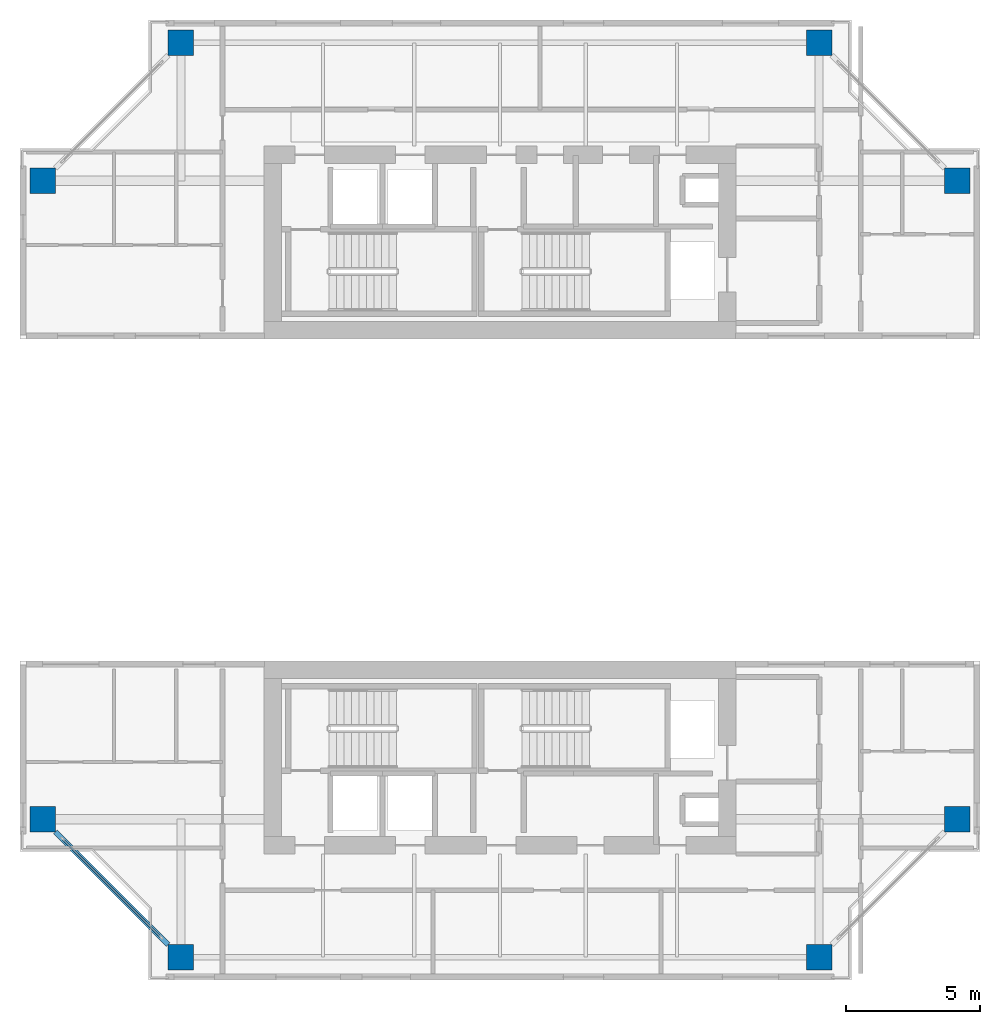
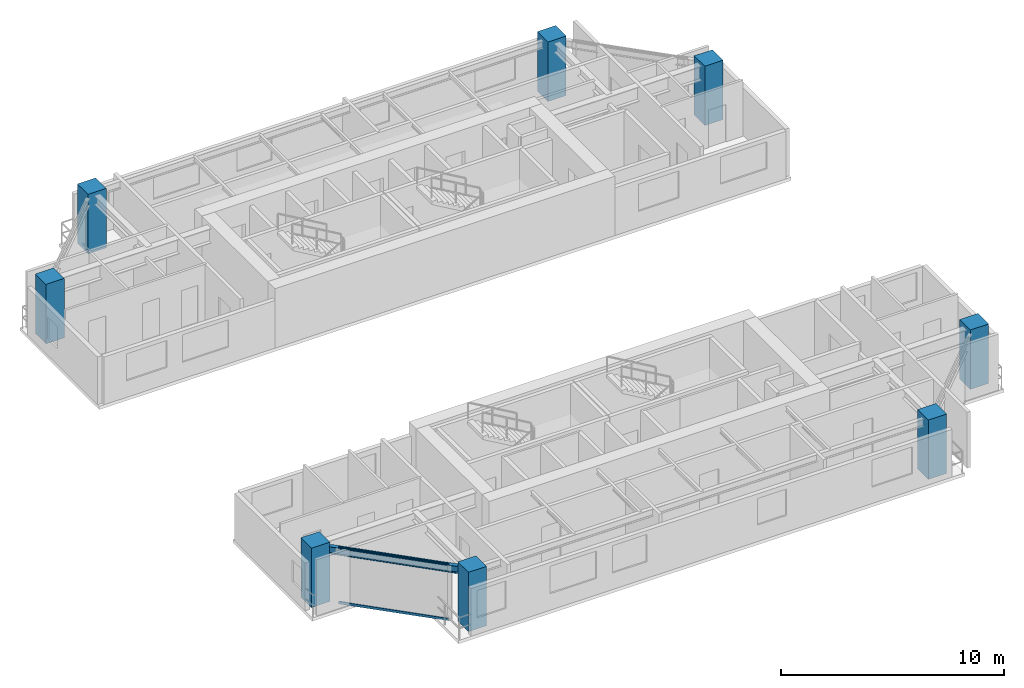
# One storey, part 1 of 12: 8 columns, 2 members, 1 beam, 1 element without a shape of its own.
"""IFC4 building model written with IfcOpenShell, lengths in metres."""

from ifc_helpers import new_model, si_unit, direction, frame, origin, origin_2d, place, context, subcontext, project, spatial, rectangle, i_section, extrude, source, transform, mapped, material, layer, layer_set, material_profile, profile_set, type_object, element, aggregate, save


model = new_model("IFC4")

# Units and contexts
model_context = context("Model", 3, precision=1e-05, world=origin(), true_north=direction((0.0, 1.0)))
body_context = subcontext(model_context, "Body", "Model", "MODEL_VIEW")
ifc_project = project(units=[si_unit("LENGTHUNIT", "METRE"), si_unit("AREAUNIT", "SQUARE_METRE"), si_unit("VOLUMEUNIT", "CUBIC_METRE"), si_unit("PLANEANGLEUNIT", "RADIAN"), si_unit("MASSUNIT", "GRAM", prefix="KILO"), si_unit("THERMODYNAMICTEMPERATUREUNIT", "KELVIN"), si_unit("POWERUNIT", "WATT")], contexts=[model_context])

# Site, building, storey
site_placement = place(None, origin())
site = spatial("IfcSite", under=ifc_project, at=site_placement, CompositionType="ELEMENT")
building_placement = place(site_placement, origin())
building = spatial("IfcBuilding", under=site, at=building_placement, Name="Qiaomeng Ring Towers", CompositionType="ELEMENT")
storey_placement = place(building_placement, frame((0.0, 0.0, 156.75)))
storey = spatial("IfcBuildingStorey", under=building, at=storey_placement, Name="L45", CompositionType="ELEMENT", Elevation=156.75)

# Columns
ifc_material_1 = material(Name="Concrete C50", Category="concrete")
ifc_material_profile_1 = material_profile(ifc_material_1, rectangle(XDim=0.949951171875, YDim=0.949951171875, at=origin_2d()), Name="RC COL 950x950")
ifc_profile_set_1 = profile_set([ifc_material_profile_1], Name="Concrete C50")
column_type = type_object("IfcColumnType", Name="STR-COL-950-C50", PredefinedType="COLUMN", material=ifc_profile_set_1)
shared_shape_1 = source(origin(), body_context, "Body", "SweptSolid", [
    extrude(rectangle(XDim=0.949951171875, YDim=0.949951171875, at=origin_2d()), origin(), (0.0, 0.0, 1.0), 3.25),
])
for number, where, z_axis, x_axis, name in (
    (1, (7.10009765625, 5.949951171875, 0.0), (0.0, 0.0, 1.0), (1.0, 0.0, 0.0), "L45 column STR-COL-L45-T1-S1"),
    (2, (30.89990234375, 5.949951171875, 0.0), (0.0, 0.0, 1.0), (1.0, 0.0, 0.0), "L45 column STR-COL-L45-T1-S2"),
    (3, (36.050048828125, 11.10009765625, 0.0), (0.0, 0.0, 1.0), (1.0, 0.0, 0.0), "L45 column STR-COL-L45-T1-E1"),
    (4, (36.050048828125, 34.89990234375, 0.0), (0.0, 0.0, 1.0), (1.0, 0.0, 0.0), "L45 column STR-COL-L45-T1-E4"),
    (5, (30.89990234375, 40.050048828125, 0.0), (0.0, 0.0, 1.0), (1.0, 0.0, 0.0), "L45 column STR-COL-L45-T1-N2"),
    (6, (7.10009765625, 40.050048828125, 0.0), (0.0, 0.0, 1.0), (1.0, 0.0, 0.0), "L45 column STR-COL-L45-T1-N1"),
    (7, (1.949951171875, 34.89990234375, 0.0), (0.0, 0.0, 1.0), (1.0, 0.0, 0.0), "L45 column STR-COL-L45-T1-W4"),
    (8, (1.949951171875, 11.10009765625, 0.0), (0.0, 0.0, 1.0), (1.0, 0.0, 0.0), "L45 column STR-COL-L45-T1-W1"),
):
    element("IfcColumn", number, at=place(storey_placement, frame(where, z_axis=z_axis, x_axis=x_axis)), inside=storey, type_object=column_type, Name=name, PredefinedType="COLUMN", context=body_context, shape_type="MappedRepresentation", body=[
        mapped(shared_shape_1, transform((0.0, 0.0, 0.0), x_axis=(1.0, 0.0, 0.0), y_axis=(0.0, 1.0, 0.0), z_axis=(0.0, 0.0, 1.0), scale=1.0)),
    ])

# Beam
ifc_material_2 = material(Name="Steel Q355B", Category="steel")
ifc_material_profile_2 = material_profile(ifc_material_2, i_section(OverallWidth=0.199951171875, OverallDepth=0.39990234375, WebThickness=0.008056640625, FlangeThickness=0.012939453125, FilletRadius=0.01611328125, at=origin_2d()), Name="HN 400x200x8x13")
ifc_profile_set_2 = profile_set([ifc_material_profile_2], Name="Steel Q355B")
beam_type = type_object("IfcBeamType", Name="STR-BM-HN400", PredefinedType="SPANDREL", material=ifc_profile_set_2)
shared_shape_2 = source(origin(), body_context, "Body", "SweptSolid", [
    extrude(i_section(OverallWidth=0.199951171875, OverallDepth=0.39990234375, WebThickness=0.008056640625, FlangeThickness=0.012939453125, FilletRadius=0.01611328125, at=origin_2d()), origin(), (0.0, 0.0, 1.0), 5.941650390625),
])
beam_placement = place(storey_placement, frame((2.42431640625, 10.625732421875, 2.8701171875), z_axis=(0.707106781187, -0.707106781187, 0.0), x_axis=(0.707106781187, 0.707106781187, 0.0)))
element("IfcBeam", 9, at=beam_placement, inside=storey, type_object=beam_type, Name="L45 beam STR-SP-L45-T1-W1-S1", PredefinedType="SPANDREL", context=body_context, shape_type="MappedRepresentation", body=[
    mapped(shared_shape_2, transform((0.0, 0.0, 0.0), x_axis=(1.0, 0.0, 0.0), y_axis=(0.0, 1.0, 0.0), z_axis=(0.0, 0.0, 1.0), scale=1.0)),
])

# Curtain wall, members
ifc_material_3 = material(Name="Fluorocarbon dark-grey aluminium", Category="aluminium")
ifc_layer = layer(ifc_material_3, 0.14990234375, Name="Fluorocarbon dark-grey aluminium")
ifc_layer_set = layer_set([ifc_layer], Name="Fluorocarbon dark-grey aluminium")
curtain_wall_type = type_object("IfcCurtainWallType", Name="ARC-CW-3", PredefinedType="NOTDEFINED", material=ifc_layer_set)
curtain_wall_placement = place(storey_placement, origin())
curtain_wall = element("IfcCurtainWall", 10, at=curtain_wall_placement, inside=storey, type_object=curtain_wall_type, Name="L45 Curtain Wall CW3", PredefinedType="NOTDEFINED")
ifc_material_profile_3 = material_profile(ifc_material_3, rectangle(XDim=0.06494140625, YDim=0.1298828125, at=origin_2d()), Name="ALU TRAN 65x130")
ifc_profile_set_3 = profile_set([ifc_material_profile_3], Name="Fluorocarbon dark-grey aluminium")
member_type = type_object("IfcMemberType", Name="ARC-CWT-120", PredefinedType="USERDEFINED", material=ifc_profile_set_3)
shared_shape_3 = source(origin(), body_context, "Body", "SweptSolid", [
    extrude(rectangle(XDim=0.06494140625, YDim=0.1298828125, at=origin_2d()), origin(), (0.0, 0.0, 1.0), 5.12060546875),
])
member_1_placement = place(storey_placement, frame((2.714599609375, 10.33544921875, 0.032470703125), z_axis=(0.707106781187, -0.707106781187, 0.0), x_axis=(0.707106781187, 0.707106781187, 0.0)))
member_1 = element("IfcMember", 11, at=member_1_placement, type_object=member_type, Name="CW3 transom 1.1", ObjectType="TRANSOM", PredefinedType="USERDEFINED", context=body_context, shape_type="MappedRepresentation", body=[
    mapped(shared_shape_3, transform((0.0, 0.0, 0.0), x_axis=(1.0, 0.0, 0.0), y_axis=(0.0, 1.0, 0.0), z_axis=(0.0, 0.0, 1.0), scale=1.0)),
])
member_2_placement = place(storey_placement, frame((2.714599609375, 10.33544921875, 3.03759765625), z_axis=(0.707106781187, -0.707106781187, 0.0), x_axis=(0.707106781187, 0.707106781187, 0.0)))
member_2 = element("IfcMember", 12, at=member_2_placement, type_object=member_type, Name="CW3 transom 1.2", ObjectType="TRANSOM", PredefinedType="USERDEFINED", context=body_context, shape_type="MappedRepresentation", body=[
    mapped(shared_shape_3, transform((0.0, 0.0, 0.0), x_axis=(1.0, 0.0, 0.0), y_axis=(0.0, 1.0, 0.0), z_axis=(0.0, 0.0, 1.0), scale=1.0)),
])
aggregate(curtain_wall, [member_1, member_2])

save(model, "model.ifc")
